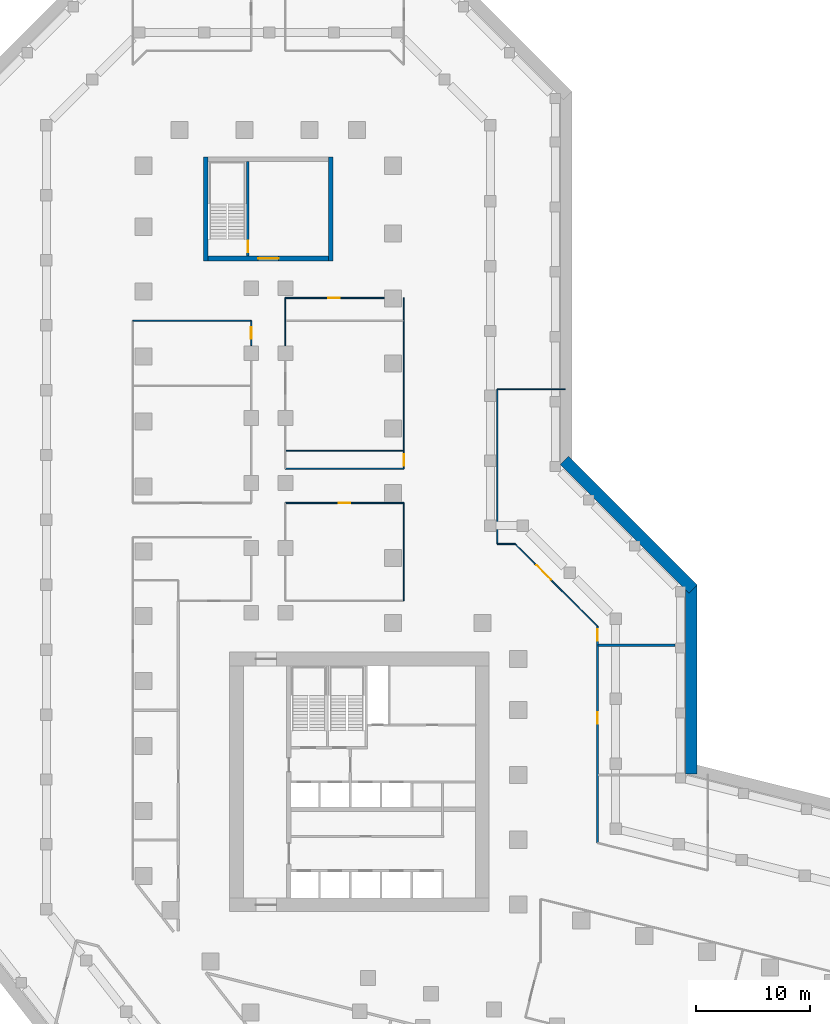
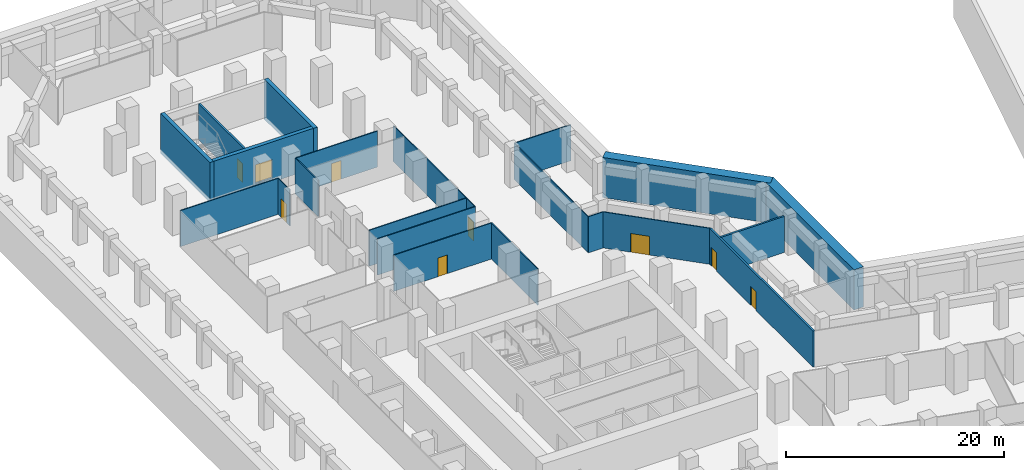
# One storey, part 10 of 14: 21 walls, 9 doors, 9 openings.
"""IFC4 building model written with IfcOpenShell, lengths in metres."""

from ifc_helpers import new_model, si_unit, direction, frame, frame_2d, origin, place, context, subcontext, project, spatial, rectangle, extrude, material, layer, layer_set, type_object, element, fill, save


model = new_model("IFC4")

# Units and contexts
model_context = context("Model", 3, precision=1e-05, world=origin(), true_north=direction((0.0, 1.0)))
body_context = subcontext(model_context, "Body", "Model", "MODEL_VIEW")
ifc_project = project(units=[si_unit("LENGTHUNIT", "METRE"), si_unit("AREAUNIT", "SQUARE_METRE"), si_unit("VOLUMEUNIT", "CUBIC_METRE"), si_unit("PLANEANGLEUNIT", "RADIAN"), si_unit("MASSUNIT", "GRAM", prefix="KILO")], contexts=[model_context])

# Site, building, storey
site_placement = place(None, origin())
site = spatial("IfcSite", under=ifc_project, at=site_placement, CompositionType="ELEMENT")
building_placement = place(site_placement, origin())
building = spatial("IfcBuilding", under=site, at=building_placement, Name="Meshkara Civic Tower", CompositionType="ELEMENT")
storey_placement = place(building_placement, frame((0.0, 0.0, -4.5)))
storey = spatial("IfcBuildingStorey", under=building, at=storey_placement, Name="B1", CompositionType="ELEMENT", Elevation=-4.5)

# Wall
ifc_material_1 = material(Name="Corridor wall 100")
ifc_layer_1 = layer(ifc_material_1, 0.10009765625)
ifc_layer_set_1 = layer_set([ifc_layer_1], Name="Corridor wall 100")
wall_type_1 = type_object("IfcWallType", Name="Corridor wall 100", PredefinedType="PARTITIONING", material=ifc_layer_set_1)
wall_1_placement = place(storey_placement, frame((-0.5, 66.0, 0.0), z_axis=(0.0, 0.0, 1.0), x_axis=(1.0, 0.0, 0.0)))
element("IfcWall", 1, at=wall_1_placement, inside=storey, type_object=wall_type_1, Name="B1-R007", PredefinedType="PARTITIONING", context=body_context, shape_type="SweptSolid", body=[
    extrude(rectangle(XDim=10.39990234375, YDim=0.10009765625, at=frame_2d((5.199951171875, 0.0))), origin(), (0.0, 0.0, 1.0), 4.050048828125),
])

# Wall, opening, door
wall_2_placement = place(storey_placement, frame((9.89990234375, 66.0, 0.0), z_axis=(0.0, 0.0, 1.0), x_axis=(0.0, -1.0, 0.0)))
wall_2 = element("IfcWall", 2, at=wall_2_placement, inside=storey, type_object=wall_type_1, Name="B1-R024", PredefinedType="PARTITIONING", context=body_context, shape_type="SweptSolid", body=[
    extrude(rectangle(XDim=2.179931640625, YDim=0.10009765625, at=frame_2d((1.08984375, 0.0))), origin(), (0.0, 0.0, 1.0), 4.050048828125),
])
opening_1_placement = place(wall_2_placement, frame((0.580078125, 0.0, 0.0)))
opening_1 = element("IfcOpeningElement", 3, at=opening_1_placement, cuts=wall_2, Name="Opening B1-P027", PredefinedType="OPENING", context=body_context, shape_type="SweptSolid", body=[
    extrude(rectangle(XDim=1.0, YDim=2.10009765625, at=frame_2d((0.5, 1.050048828125))), frame((0.0, 0.06005859375, 0.0), z_axis=(0.0, -1.0, 0.0), x_axis=(1.0, 0.0, 0.0)), (0.0, 0.0, 1.0), 0.1201171875),
])
ifc_material_2 = material(Name="Door 1000 x 2100")
door_type_1 = type_object("IfcDoorType", Name="Door 1000 x 2100", OperationType="SINGLE_SWING_LEFT", PredefinedType="DOOR", material=ifc_material_2)
door_1_placement = place(opening_1_placement, origin())
door_1 = element("IfcDoor", 4, at=door_1_placement, inside=storey, type_object=door_type_1, Name="B1-P027", OperationType="SINGLE_SWING_LEFT", OverallHeight=2.10009765625, OverallWidth=1.0, PredefinedType="DOOR", context=body_context, shape_type="SweptSolid", body=[
    extrude(rectangle(XDim=1.0, YDim=2.10009765625, at=frame_2d((0.5, 1.050048828125))), frame((0.0, 0.02490234375, 0.0), z_axis=(0.0, -1.0, 0.0), x_axis=(1.0, 0.0, 0.0)), (0.0, 0.0, 1.0), 0.050048828125),
])
fill(opening_1, door_1)

wall_3_placement = place(storey_placement, frame((12.89990234375, 50.0, 0.0), z_axis=(0.0, 0.0, 1.0), x_axis=(1.0, 0.0, 0.0)))
wall_3 = element("IfcWall", 5, at=wall_3_placement, inside=storey, type_object=wall_type_1, Name="B1-R030", PredefinedType="PARTITIONING", context=body_context, shape_type="SweptSolid", body=[
    extrude(rectangle(XDim=10.400146484375, YDim=0.10009765625, at=frame_2d((5.2001953125, 0.0))), origin(), (0.0, 0.0, 1.0), 4.050048828125),
])
opening_2_placement = place(wall_3_placement, frame((4.679931640625, 0.0, 0.0)))
opening_2 = element("IfcOpeningElement", 6, at=opening_2_placement, cuts=wall_3, Name="Opening B1-P025", PredefinedType="OPENING", context=body_context, shape_type="SweptSolid", body=[
    extrude(rectangle(XDim=1.0, YDim=2.10009765625, at=frame_2d((0.5, 1.050048828125))), frame((0.0, 0.06005859375, 0.0), z_axis=(0.0, -1.0, 0.0), x_axis=(1.0, 0.0, 0.0)), (0.0, 0.0, 1.0), 0.1201171875),
])
door_2_placement = place(opening_2_placement, origin())
door_2 = element("IfcDoor", 7, at=door_2_placement, inside=storey, type_object=door_type_1, Name="B1-P025", OperationType="SINGLE_SWING_RIGHT", OverallHeight=2.10009765625, OverallWidth=1.0, PredefinedType="DOOR", context=body_context, shape_type="SweptSolid", body=[
    extrude(rectangle(XDim=1.0, YDim=2.10009765625, at=frame_2d((0.5, 1.050048828125))), frame((0.0, 0.02490234375, 0.0), z_axis=(0.0, -1.0, 0.0), x_axis=(1.0, 0.0, 0.0)), (0.0, 0.0, 1.0), 0.050048828125),
])
fill(opening_2, door_2)

# Wall
wall_4_placement = place(storey_placement, frame((12.89990234375, 63.820068359375, 0.0), z_axis=(0.0, 0.0, 1.0), x_axis=(0.0, 1.0, 0.0)))
element("IfcWall", 8, at=wall_4_placement, inside=storey, type_object=wall_type_1, Name="B1-R033", PredefinedType="PARTITIONING", context=body_context, shape_type="SweptSolid", body=[
    extrude(rectangle(XDim=4.179931640625, YDim=0.10009765625, at=frame_2d((2.08984375, 0.0))), origin(), (0.0, 0.0, 1.0), 4.050048828125),
])

# Wall, opening, door
wall_5_placement = place(storey_placement, frame((12.89990234375, 68.0, 0.0), z_axis=(0.0, 0.0, 1.0), x_axis=(1.0, 0.0, 0.0)))
wall_5 = element("IfcWall", 9, at=wall_5_placement, inside=storey, type_object=wall_type_1, Name="B1-R034", PredefinedType="PARTITIONING", context=body_context, shape_type="SweptSolid", body=[
    extrude(rectangle(XDim=8.68017578125, YDim=0.10009765625, at=frame_2d((4.340087890625, 0.0))), origin(), (0.0, 0.0, 1.0), 4.050048828125),
])
opening_3_placement = place(wall_5_placement, frame((3.780029296875, 0.0, 0.0)))
opening_3 = element("IfcOpeningElement", 10, at=opening_3_placement, cuts=wall_5, Name="Opening B1-P029", PredefinedType="OPENING", context=body_context, shape_type="SweptSolid", body=[
    extrude(rectangle(XDim=1.0, YDim=2.10009765625, at=frame_2d((0.5, 1.050048828125))), frame((0.0, 0.06005859375, 0.0), z_axis=(0.0, -1.0, 0.0), x_axis=(1.0, 0.0, 0.0)), (0.0, 0.0, 1.0), 0.1201171875),
])
door_3_placement = place(opening_3_placement, origin())
door_3 = element("IfcDoor", 11, at=door_3_placement, inside=storey, type_object=door_type_1, Name="B1-P029", OperationType="SINGLE_SWING_LEFT", OverallHeight=2.10009765625, OverallWidth=1.0, PredefinedType="DOOR", context=body_context, shape_type="SweptSolid", body=[
    extrude(rectangle(XDim=1.0, YDim=2.10009765625, at=frame_2d((0.5, 1.050048828125))), frame((0.0, 0.02490234375, 0.0), z_axis=(0.0, -1.0, 0.0), x_axis=(1.0, 0.0, 0.0)), (0.0, 0.0, 1.0), 0.050048828125),
])
fill(opening_3, door_3)

# Wall
wall_6_placement = place(storey_placement, frame((23.300048828125, 50.0, 0.0), z_axis=(0.0, 0.0, 1.0), x_axis=(0.0, -1.0, 0.0)))
element("IfcWall", 12, at=wall_6_placement, inside=storey, type_object=wall_type_1, Name="B1-R041", PredefinedType="PARTITIONING", context=body_context, shape_type="SweptSolid", body=[
    extrude(rectangle(XDim=8.60009765625, YDim=0.10009765625, at=frame_2d((4.300048828125, 0.0))), origin(), (0.0, 0.0, 1.0), 4.050048828125),
])

# Wall, opening, door
wall_7_placement = place(storey_placement, frame((23.300048828125, 53.0, 0.0), z_axis=(0.0, 0.0, 1.0), x_axis=(0.0, 1.0, 0.0)))
wall_7 = element("IfcWall", 13, at=wall_7_placement, inside=storey, type_object=wall_type_1, Name="B1-R042", PredefinedType="PARTITIONING", context=body_context, shape_type="SweptSolid", body=[
    extrude(rectangle(XDim=15.0, YDim=0.10009765625, at=frame_2d((7.5, 0.0))), origin(), (0.0, 0.0, 1.0), 4.050048828125),
])
opening_4_placement = place(wall_7_placement, frame((0.280029296875, 0.0, 0.0)))
opening_4 = element("IfcOpeningElement", 14, at=opening_4_placement, cuts=wall_7, Name="Opening B1-P026", PredefinedType="OPENING", context=body_context, shape_type="SweptSolid", body=[
    extrude(rectangle(XDim=1.0, YDim=2.10009765625, at=frame_2d((0.5, 1.050048828125))), frame((0.0, 0.06005859375, 0.0), z_axis=(0.0, -1.0, 0.0), x_axis=(1.0, 0.0, 0.0)), (0.0, 0.0, 1.0), 0.1201171875),
])
door_4_placement = place(opening_4_placement, origin())
door_4 = element("IfcDoor", 15, at=door_4_placement, inside=storey, type_object=door_type_1, Name="B1-P026", OperationType="SINGLE_SWING_RIGHT", OverallHeight=2.10009765625, OverallWidth=1.0, PredefinedType="DOOR", context=body_context, shape_type="SweptSolid", body=[
    extrude(rectangle(XDim=1.0, YDim=2.10009765625, at=frame_2d((0.5, 1.050048828125))), frame((0.0, 0.02490234375, 0.0), z_axis=(0.0, -1.0, 0.0), x_axis=(1.0, 0.0, 0.0)), (0.0, 0.0, 1.0), 0.050048828125),
])
fill(opening_4, door_4)

# Walls
wall_8_placement = place(storey_placement, frame((23.300048828125, 53.0, 0.0), z_axis=(0.0, 0.0, 1.0), x_axis=(-1.0, 0.0, 0.0)))
element("IfcWall", 16, at=wall_8_placement, inside=storey, type_object=wall_type_1, Name="B1-R043", PredefinedType="PARTITIONING", context=body_context, shape_type="SweptSolid", body=[
    extrude(rectangle(XDim=10.400146484375, YDim=0.10009765625, at=frame_2d((5.2001953125, 0.0))), origin(), (0.0, 0.0, 1.0), 4.050048828125),
])
wall_9_placement = place(storey_placement, frame((31.5, 46.39990234375, 0.0), z_axis=(0.0, 0.0, 1.0), x_axis=(0.0, 1.0, 0.0)))
element("IfcWall", 17, at=wall_9_placement, inside=storey, type_object=wall_type_1, Name="B1-R048", PredefinedType="PARTITIONING", context=body_context, shape_type="SweptSolid", body=[
    extrude(rectangle(XDim=13.60009765625, YDim=0.10009765625, at=frame_2d((6.800048828125, 0.0))), origin(), (0.0, 0.0, 1.0), 4.050048828125),
])
wall_10_placement = place(storey_placement, frame((31.5, 60.0, 0.0), z_axis=(0.0, 0.0, 1.0), x_axis=(1.0, 0.0, 0.0)))
element("IfcWall", 18, at=wall_10_placement, inside=storey, type_object=wall_type_1, Name="B1-R049", PredefinedType="PARTITIONING", context=body_context, shape_type="SweptSolid", body=[
    extrude(rectangle(XDim=5.989990234375, YDim=0.10009765625, at=frame_2d((2.9951171875, 0.0))), origin(), (0.0, 0.0, 1.0), 4.050048828125),
])
wall_11_placement = place(storey_placement, frame((33.072021484375, 46.39990234375, 0.0), z_axis=(0.0, 0.0, 1.0), x_axis=(-1.0, 0.0, 0.0)))
element("IfcWall", 19, at=wall_11_placement, inside=storey, type_object=wall_type_1, Name="B1-R050", PredefinedType="PARTITIONING", context=body_context, shape_type="SweptSolid", body=[
    extrude(rectangle(XDim=1.572021484375, YDim=0.10009765625, at=frame_2d((0.7861328125, 0.0))), origin(), (0.0, 0.0, 1.0), 4.050048828125),
])

# Wall, opening, door
wall_12_placement = place(storey_placement, frame((40.300048828125, 39.172119140625, 0.0), z_axis=(0.0, 0.0, 1.0), x_axis=(-0.707118723238, 0.707094838933, 0.0)))
wall_12 = element("IfcWall", 20, at=wall_12_placement, inside=storey, type_object=wall_type_1, Name="B1-R057", PredefinedType="PARTITIONING", context=body_context, shape_type="SweptSolid", body=[
    extrude(rectangle(XDim=10.2216796875, YDim=0.10009765625, at=frame_2d((5.11083984375, 0.0))), origin(), (0.0, 0.0, 1.0), 4.050048828125),
])
opening_5_placement = place(wall_12_placement, frame((5.780029296875, 0.0, 0.0)))
opening_5 = element("IfcOpeningElement", 21, at=opening_5_placement, cuts=wall_12, Name="Opening B1-P023", PredefinedType="OPENING", context=body_context, shape_type="SweptSolid", body=[
    extrude(rectangle(XDim=1.800048828125, YDim=2.10009765625, at=frame_2d((0.89990234375, 1.050048828125))), frame((0.0, 0.06005859375, 0.0), z_axis=(0.0, -1.0, 0.0), x_axis=(1.0, 0.0, 0.0)), (0.0, 0.0, 1.0), 0.1201171875),
])
ifc_material_3 = material(Name="Door pair 1800 x 2100")
door_type_2 = type_object("IfcDoorType", Name="Door pair 1800 x 2100", OperationType="SINGLE_SWING_LEFT", PredefinedType="DOOR", material=ifc_material_3)
door_5_placement = place(opening_5_placement, origin())
door_5 = element("IfcDoor", 22, at=door_5_placement, inside=storey, type_object=door_type_2, Name="B1-P023", OperationType="DOUBLE_DOOR_SINGLE_SWING", OverallHeight=2.10009765625, OverallWidth=1.800048828125, PredefinedType="DOOR", context=body_context, shape_type="SweptSolid", body=[
    extrude(rectangle(XDim=1.800048828125, YDim=2.10009765625, at=frame_2d((0.89990234375, 1.050048828125))), frame((0.0, 0.02490234375, 0.0), z_axis=(0.0, -1.0, 0.0), x_axis=(1.0, 0.0, 0.0)), (0.0, 0.0, 1.0), 0.050048828125),
])
fill(opening_5, door_5)

# Walls
ifc_material_4 = material(Name="Concrete C50", Category="concrete")
ifc_layer_2 = layer(ifc_material_4, 1.0)
ifc_layer_set_2 = layer_set([ifc_layer_2], Name="Diaphragm wall 1000 C50")
wall_type_2 = type_object("IfcWallType", Name="Diaphragm wall 1000 C50", PredefinedType="SOLIDWALL", material=ifc_layer_set_2)
wall_13_placement = place(storey_placement, frame((37.403564453125, 53.736572265625, 0.0), z_axis=(0.0, 0.0, 1.0), x_axis=(0.707099137657, -0.707114424634, 0.0)))
element("IfcWall", 23, at=wall_13_placement, inside=storey, type_object=wall_type_2, Name="Basement perimeter wall", PredefinedType="SOLIDWALL", context=body_context, shape_type="SweptSolid", body=[
    extrude(rectangle(XDim=15.970458984375, YDim=1.0, at=frame_2d((7.9853515625, 0.0))), origin(), (0.0, 0.0, 1.0), 4.5),
])
wall_14_placement = place(storey_placement, frame((48.550048828125, 42.797119140625, 0.0), z_axis=(0.0, 0.0, 1.0), x_axis=(0.0, -1.0, 0.0)))
element("IfcWall", 24, at=wall_14_placement, inside=storey, type_object=wall_type_2, Name="Basement perimeter wall", PredefinedType="SOLIDWALL", context=body_context, shape_type="SweptSolid", body=[
    extrude(rectangle(XDim=16.593017578125, YDim=1.0, at=frame_2d((8.29638671875, 0.0))), origin(), (0.0, 0.0, 1.0), 4.5),
])
ifc_material_5 = material(Name="Concrete C80", Category="concrete")
ifc_layer_3 = layer(ifc_material_5, 0.39990234375)
ifc_layer_set_3 = layer_set([ifc_layer_3], Name="End core ring wall 400 C80")
wall_type_3 = type_object("IfcWallType", Name="End core ring wall 400 C80", PredefinedType="SHEAR", material=ifc_layer_set_3)
for number, where, z_axis, x_axis, name in (
    (25, (5.89990234375, 71.27001953125, -0.449951171875), (0.0, 0.0, 1.0), (0.0, 1.0, 0.0), "B1-C025"),
    (26, (16.89990234375, 71.27001953125, -0.449951171875), (0.0, 0.0, 1.0), (0.0, 1.0, 0.0), "B1-C026"),
):
    element("IfcWall", number, at=place(storey_placement, frame(where, z_axis=z_axis, x_axis=x_axis)), inside=storey, type_object=wall_type_3, Name=name, PredefinedType="SHEAR", context=body_context, shape_type="SweptSolid", body=[
        extrude(rectangle(XDim=9.10009765625, YDim=0.39990234375, at=frame_2d((4.550048828125, 0.0))), origin(), (0.0, 0.0, 1.0), 4.5),
    ])

# Wall, opening, door
wall_15_placement = place(storey_placement, frame((6.10009765625, 71.469970703125, -0.449951171875), z_axis=(0.0, 0.0, 1.0), x_axis=(1.0, 0.0, 0.0)))
wall_15 = element("IfcWall", 27, at=wall_15_placement, inside=storey, type_object=wall_type_3, Name="B1-C027", PredefinedType="SHEAR", context=body_context, shape_type="SweptSolid", body=[
    extrude(rectangle(XDim=10.599853515625, YDim=0.39990234375, at=frame_2d((5.2998046875, 0.0))), origin(), (0.0, 0.0, 1.0), 4.5),
])
opening_6_placement = place(wall_15_placement, frame((4.39990234375, 0.0, 0.449951171875)))
opening_6 = element("IfcOpeningElement", 28, at=opening_6_placement, cuts=wall_15, Name="Opening B1-K102", PredefinedType="OPENING", context=body_context, shape_type="SweptSolid", body=[
    extrude(rectangle(XDim=1.800048828125, YDim=2.10009765625, at=frame_2d((0.89990234375, 1.050048828125))), frame((0.0, 0.2099609375, 0.0), z_axis=(0.0, -1.0, 0.0), x_axis=(1.0, 0.0, 0.0)), (0.0, 0.0, 1.0), 0.419921875),
])
ifc_material_6 = material(Name="Fire-rated door leaf in steel frame", Category="steel")
door_type_3 = type_object("IfcDoorType", Name="Core double door 1800 EI 60", OperationType="DOUBLE_DOOR_SINGLE_SWING", PredefinedType="DOOR", material=ifc_material_6)
door_6_placement = place(opening_6_placement, origin())
door_6 = element("IfcDoor", 29, at=door_6_placement, inside=storey, type_object=door_type_3, Name="B1-K102", OperationType="DOUBLE_DOOR_SINGLE_SWING", OverallHeight=2.10009765625, OverallWidth=1.800048828125, PredefinedType="DOOR", context=body_context, shape_type="SweptSolid", body=[
    extrude(rectangle(XDim=1.800048828125, YDim=2.10009765625, at=frame_2d((0.89990234375, 1.050048828125))), frame((0.0, 0.02490234375, 0.0), z_axis=(0.0, -1.0, 0.0), x_axis=(1.0, 0.0, 0.0)), (0.0, 0.0, 1.0), 0.050048828125),
])
fill(opening_6, door_6)

# Wall, openings, doors
ifc_material_7 = material(Name="Fire-rated wall 200")
ifc_layer_4 = layer(ifc_material_7, 0.199951171875)
ifc_layer_set_4 = layer_set([ifc_layer_4], Name="Fire-rated wall 200")
wall_type_4 = type_object("IfcWallType", Name="Fire-rated wall 200", PredefinedType="PARTITIONING", material=ifc_layer_set_4)
wall_16_placement = place(storey_placement, frame((40.300048828125, 39.172119140625, 0.0), z_axis=(0.0, 0.0, 1.0), x_axis=(0.0, -1.0, 0.0)))
wall_16 = element("IfcWall", 30, at=wall_16_placement, inside=storey, type_object=wall_type_4, Name="B1-R056", PredefinedType="PARTITIONING", context=body_context, shape_type="SweptSolid", body=[
    extrude(rectangle(XDim=19.023193359375, YDim=0.199951171875, at=frame_2d((9.51171875, 0.0))), origin(), (0.0, 0.0, 1.0), 4.050048828125),
])
opening_7_placement = place(wall_16_placement, frame((7.552001953125, 0.0, 0.0)))
opening_7 = element("IfcOpeningElement", 31, at=opening_7_placement, cuts=wall_16, Name="Opening B1-P019", PredefinedType="OPENING", context=body_context, shape_type="SweptSolid", body=[
    extrude(rectangle(XDim=1.0, YDim=2.10009765625, at=frame_2d((0.5, 1.050048828125))), frame((0.0, 0.10986328125, 0.0), z_axis=(0.0, -1.0, 0.0), x_axis=(1.0, 0.0, 0.0)), (0.0, 0.0, 1.0), 0.219970703125),
])
opening_8_placement = place(wall_16_placement, frame((0.280029296875, 0.0, 0.0)))
opening_8 = element("IfcOpeningElement", 32, at=opening_8_placement, cuts=wall_16, Name="Opening B1-P022", PredefinedType="OPENING", context=body_context, shape_type="SweptSolid", body=[
    extrude(rectangle(XDim=1.0, YDim=2.10009765625, at=frame_2d((0.5, 1.050048828125))), frame((0.0, 0.10986328125, 0.0), z_axis=(0.0, -1.0, 0.0), x_axis=(1.0, 0.0, 0.0)), (0.0, 0.0, 1.0), 0.219970703125),
])
door_7_placement = place(opening_7_placement, origin())
door_7 = element("IfcDoor", 33, at=door_7_placement, inside=storey, type_object=door_type_1, Name="B1-P019", OperationType="SINGLE_SWING_LEFT", OverallHeight=2.10009765625, OverallWidth=1.0, PredefinedType="DOOR", context=body_context, shape_type="SweptSolid", body=[
    extrude(rectangle(XDim=1.0, YDim=2.10009765625, at=frame_2d((0.5, 1.050048828125))), frame((0.0, 0.02490234375, 0.0), z_axis=(0.0, -1.0, 0.0), x_axis=(1.0, 0.0, 0.0)), (0.0, 0.0, 1.0), 0.050048828125),
])
fill(opening_7, door_7)
door_8_placement = place(opening_8_placement, origin())
door_8 = element("IfcDoor", 34, at=door_8_placement, inside=storey, type_object=door_type_1, Name="B1-P022", OperationType="SINGLE_SWING_RIGHT", OverallHeight=2.10009765625, OverallWidth=1.0, PredefinedType="DOOR", context=body_context, shape_type="SweptSolid", body=[
    extrude(rectangle(XDim=1.0, YDim=2.10009765625, at=frame_2d((0.5, 1.050048828125))), frame((0.0, 0.02490234375, 0.0), z_axis=(0.0, -1.0, 0.0), x_axis=(1.0, 0.0, 0.0)), (0.0, 0.0, 1.0), 0.050048828125),
])
fill(opening_8, door_8)

# Walls
wall_17_placement = place(storey_placement, frame((47.1298828125, 37.5, 0.0), z_axis=(0.0, 0.0, 1.0), x_axis=(-1.0, 0.0, 0.0)))
element("IfcWall", 35, at=wall_17_placement, inside=storey, type_object=wall_type_4, Name="B1-R096", PredefinedType="PARTITIONING", context=body_context, shape_type="SweptSolid", body=[
    extrude(rectangle(XDim=6.77978515625, YDim=0.199951171875, at=frame_2d((3.389892578125, 0.0))), origin(), (0.0, 0.0, 1.0), 4.050048828125),
])
ifc_material_8 = material(Name="Partition 100")
ifc_layer_5 = layer(ifc_material_8, 0.10009765625)
ifc_layer_set_5 = layer_set([ifc_layer_5], Name="Partition 100")
wall_type_5 = type_object("IfcWallType", Name="Partition 100", PredefinedType="PARTITIONING", material=ifc_layer_set_5)
wall_18_placement = place(storey_placement, frame((23.25, 54.60009765625, 0.0), z_axis=(0.0, 0.0, 1.0), x_axis=(-1.0, 0.0, 0.0)))
element("IfcWall", 36, at=wall_18_placement, inside=storey, type_object=wall_type_5, Name="B1-R092", PredefinedType="PARTITIONING", context=body_context, shape_type="SweptSolid", body=[
    extrude(rectangle(XDim=10.300048828125, YDim=0.10009765625, at=frame_2d((5.14990234375, 0.0))), origin(), (0.0, 0.0, 1.0), 4.050048828125),
])

# Wall, opening, door
ifc_material_9 = material(Name="Concrete C40/50", Category="concrete")
ifc_layer_6 = layer(ifc_material_9, 0.199951171875)
ifc_layer_set_6 = layer_set([ifc_layer_6], Name="Stair enclosure wall 200 C40/50")
wall_type_6 = type_object("IfcWallType", Name="Stair enclosure wall 200 C40/50", PredefinedType="SOLIDWALL", material=ifc_layer_set_6)
wall_19_placement = place(storey_placement, frame((9.60009765625, 71.669921875, 0.0), z_axis=(0.0, 0.0, 1.0), x_axis=(0.0, 1.0, 0.0)))
wall_19 = element("IfcWall", 37, at=wall_19_placement, inside=storey, type_object=wall_type_6, Name="B1-C029", PredefinedType="SOLIDWALL", context=body_context, shape_type="SweptSolid", body=[
    extrude(rectangle(XDim=8.300048828125, YDim=0.199951171875, at=frame_2d((4.14990234375, 0.0))), origin(), (0.0, 0.0, 1.0), 4.050048828125),
])
opening_9_placement = place(wall_19_placement, frame((0.35009765625, 0.0, 0.0)))
opening_9 = element("IfcOpeningElement", 38, at=opening_9_placement, cuts=wall_19, Name="Opening B1-K101", PredefinedType="OPENING", context=body_context, shape_type="SweptSolid", body=[
    extrude(rectangle(XDim=1.0, YDim=2.10009765625, at=frame_2d((0.5, 1.050048828125))), frame((0.0, 0.10986328125, 0.0), z_axis=(0.0, -1.0, 0.0), x_axis=(1.0, 0.0, 0.0)), (0.0, 0.0, 1.0), 0.219970703125),
])
ifc_material_10 = material(Name="Fire-rated door leaf in steel frame", Category="steel")
door_type_4 = type_object("IfcDoorType", Name="Stair door 1000 EI 120", OperationType="SINGLE_SWING_LEFT", PredefinedType="DOOR", material=ifc_material_10)
door_9_placement = place(opening_9_placement, origin())
door_9 = element("IfcDoor", 39, at=door_9_placement, inside=storey, type_object=door_type_4, Name="B1-K101", OperationType="SINGLE_SWING_RIGHT", OverallHeight=2.10009765625, OverallWidth=1.0, PredefinedType="DOOR", context=body_context, shape_type="SweptSolid", body=[
    extrude(rectangle(XDim=1.0, YDim=2.10009765625, at=frame_2d((0.5, 1.050048828125))), frame((0.0, 0.02490234375, 0.0), z_axis=(0.0, -1.0, 0.0), x_axis=(1.0, 0.0, 0.0)), (0.0, 0.0, 1.0), 0.050048828125),
])
fill(opening_9, door_9)

save(model, "model.ifc")
